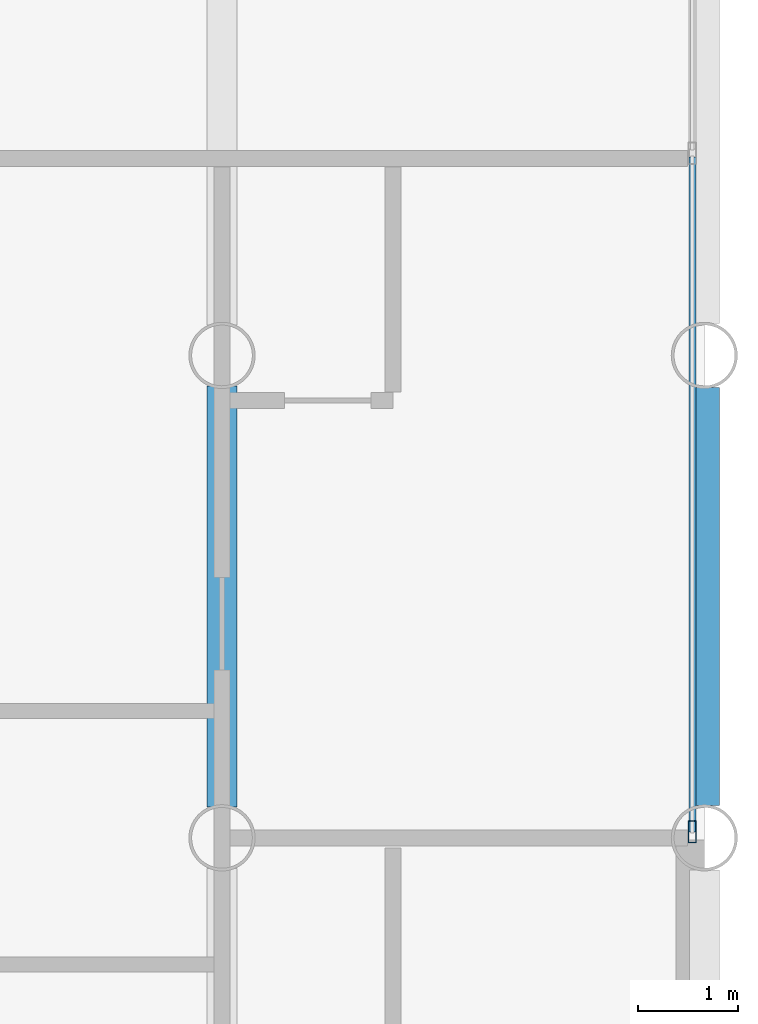
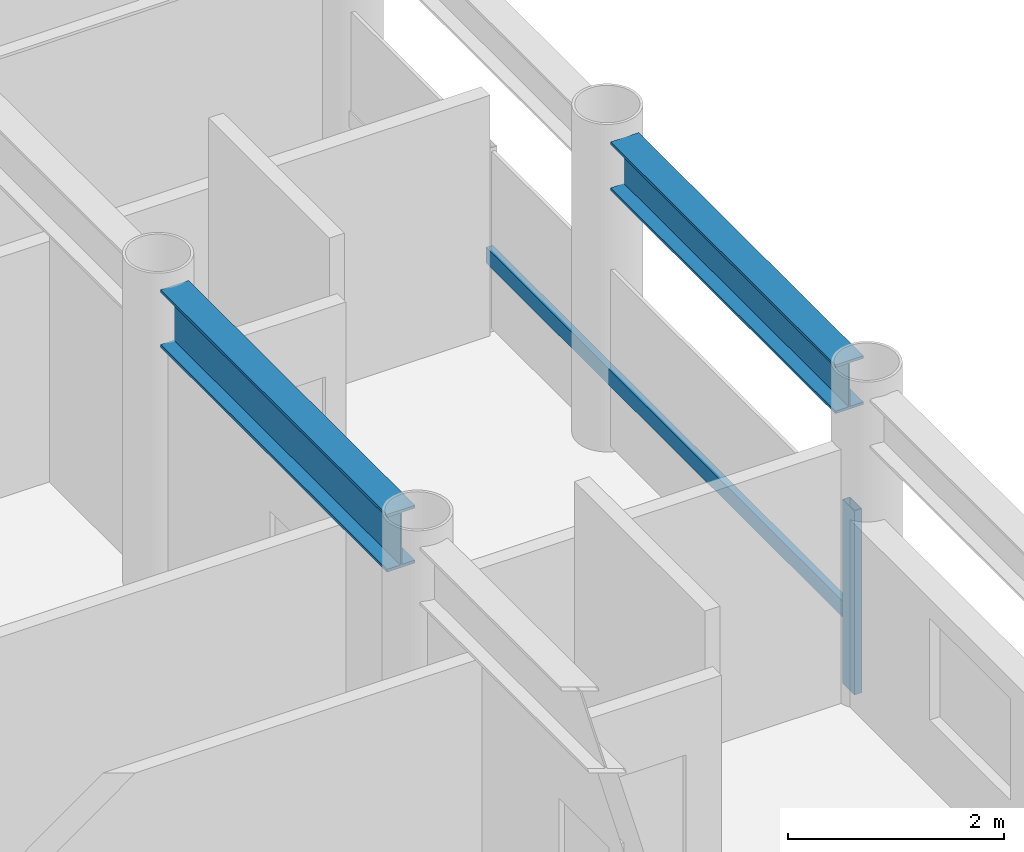
# One storey, part 8 of 22: 2 beams, 2 members, 1 element without a shape of its own.
"""IFC4 building model written with IfcOpenShell, lengths in metres."""

from ifc_helpers import new_model, si_unit, direction, frame, origin, origin_2d, place, context, subcontext, project, spatial, hollow_rectangle, i_section, extrude, material, layer, layer_set, material_profile, profile_set, type_object, element, aggregate, save


model = new_model("IFC4")

# Units and contexts
model_context = context("Model", 3, precision=1e-05, world=origin(), true_north=direction((0.0, 1.0)))
body_context = subcontext(model_context, "Body", "Model", "MODEL_VIEW")
ifc_project = project(units=[si_unit("LENGTHUNIT", "METRE"), si_unit("AREAUNIT", "SQUARE_METRE"), si_unit("VOLUMEUNIT", "CUBIC_METRE"), si_unit("PLANEANGLEUNIT", "RADIAN"), si_unit("MASSUNIT", "GRAM", prefix="KILO")], contexts=[model_context])

# Site, building, storey
site_placement = place(None, origin())
site = spatial("IfcSite", under=ifc_project, at=site_placement, CompositionType="ELEMENT")
building_placement = place(site_placement, origin())
building = spatial("IfcBuilding", under=site, at=building_placement, Name="Kallvorn Hotel Tower", CompositionType="ELEMENT")
storey_placement = place(building_placement, frame((0.0, 0.0, 106.300048828125)))
storey = spatial("IfcBuildingStorey", under=building, at=storey_placement, Name="L25", CompositionType="ELEMENT", Elevation=106.300048828125)

# Beams
ifc_material_1 = material(Name="Structural steel S355JR", Category="steel")
ifc_material_profile_1 = material_profile(ifc_material_1, i_section(OverallWidth=0.300048828125, OverallDepth=0.550048828125, WebThickness=0.014892578125, FlangeThickness=0.029052734375, at=origin_2d()), Name="HE 550 B")
ifc_profile_set_1 = profile_set([ifc_material_profile_1], Name="Structural steel S355JR")
beam_type_1 = type_object("IfcBeamType", Name="BM_HE550B", PredefinedType="SPANDREL", material=ifc_profile_set_1)
beam_1_placement = place(storey_placement, frame((33.60009765625, 0.320068359375, 3.244873046875), z_axis=(0.0, 1.0, 0.0), x_axis=(-1.0, 0.0, 0.0)))
element("IfcBeam", 1, at=beam_1_placement, inside=storey, type_object=beam_type_1, Name="L26 Perimeter Spandrel 185", PredefinedType="SPANDREL", context=body_context, shape_type="SweptSolid", body=[
    extrude(i_section(OverallWidth=0.300048828125, OverallDepth=0.550048828125, WebThickness=0.014892578125, FlangeThickness=0.029052734375, at=origin_2d()), origin(), (0.0, 0.0, 1.0), 4.159912109375),
])
ifc_material_2 = material(Name="Structural steel S355JR", Category="steel")
ifc_material_profile_2 = material_profile(ifc_material_2, i_section(OverallWidth=0.300048828125, OverallDepth=0.64990234375, WebThickness=0.01611328125, FlangeThickness=0.031005859375, at=origin_2d()), Name="HE 650 B")
ifc_profile_set_2 = profile_set([ifc_material_profile_2], Name="Structural steel S355JR")
beam_type_2 = type_object("IfcBeamType", Name="BM_HE650B", PredefinedType="BEAM", material=ifc_profile_set_2)
beam_2_placement = place(storey_placement, frame((28.800048828125, 0.304931640625, 3.195068359375), z_axis=(0.0, 1.0, 0.0), x_axis=(-1.0, 0.0, 0.0)))
element("IfcBeam", 2, at=beam_2_placement, inside=storey, type_object=beam_type_2, Name="L26 Primary Y-Girder 146", PredefinedType="BEAM", context=body_context, shape_type="SweptSolid", body=[
    extrude(i_section(OverallWidth=0.300048828125, OverallDepth=0.64990234375, WebThickness=0.01611328125, FlangeThickness=0.031005859375, at=origin_2d()), origin(), (0.0, 0.0, 1.0), 4.190185546875),
])

# Curtain wall, members
ifc_material_3 = material(Name="Thermally broken black-anodised aluminium AA 6063-T6", Category="aluminium")
ifc_layer = layer(ifc_material_3, 0.199951171875)
ifc_layer_set = layer_set([ifc_layer], Name="CW_SYS_3_HOTEL_LOW")
curtain_wall_type = type_object("IfcCurtainWallType", Name="CW_SYS_3_HOTEL_LOW", PredefinedType="USERDEFINED", material=ifc_layer_set)
curtain_wall_placement = place(storey_placement, origin())
curtain_wall = element("IfcCurtainWall", 3, at=curtain_wall_placement, inside=storey, type_object=curtain_wall_type, Name="L25 Dark-Glass Curtain Wall CW-L25-EN", ObjectType="UNITISED CURTAIN WALL", PredefinedType="USERDEFINED")
ifc_material_4 = material(Name="Thermally broken black-anodised aluminium AA 6063-T6", Category="aluminium")
ifc_material_profile_3 = material_profile(ifc_material_4, hollow_rectangle(XDim=0.080078125, YDim=0.219970703125, WallThickness=0.0048828125, at=origin_2d()), Name="MUL 220x80")
ifc_profile_set_3 = profile_set([ifc_material_profile_3], Name="Thermally broken black-anodised aluminium AA 6063-T6")
member_type_1 = type_object("IfcMemberType", Name="CW_MULLION_220x80", PredefinedType="MULLION", material=ifc_profile_set_3)
member_1_placement = place(storey_placement, frame((33.47998046875, 0.06005859375, 0.02001953125), z_axis=(0.0, 0.0, 1.0), x_axis=(1.0, 0.0, 0.0)))
member_1 = element("IfcMember", 4, at=member_1_placement, type_object=member_type_1, Name="CW-L25-EN Mullion 00", PredefinedType="MULLION", context=body_context, shape_type="SweptSolid", body=[
    extrude(hollow_rectangle(XDim=0.080078125, YDim=0.219970703125, WallThickness=0.0048828125, at=origin_2d()), origin(), (0.0, 0.0, 1.0), 2.079833984375),
])
ifc_material_5 = material(Name="Thermally broken black-anodised aluminium AA 6063-T6", Category="aluminium")
ifc_material_profile_4 = material_profile(ifc_material_5, hollow_rectangle(XDim=0.070068359375, YDim=0.179931640625, WallThickness=0.00390625, at=origin_2d()), Name="TRN 180x70")
ifc_profile_set_4 = profile_set([ifc_material_profile_4], Name="Thermally broken black-anodised aluminium AA 6063-T6")
member_type_2 = type_object("IfcMemberType", Name="CW_TRANSOM_180x70", PredefinedType="USERDEFINED", material=ifc_profile_set_4)
member_2_placement = place(storey_placement, frame((33.47998046875, 0.06005859375, 0.849853515625), z_axis=(0.0, 1.0, 0.0), x_axis=(-1.0, 0.0, 0.0)))
member_2 = element("IfcMember", 5, at=member_2_placement, type_object=member_type_2, Name="CW-L25-EN Transom 00M", ObjectType="TRANSOM", PredefinedType="USERDEFINED", context=body_context, shape_type="SweptSolid", body=[
    extrude(hollow_rectangle(XDim=0.070068359375, YDim=0.179931640625, WallThickness=0.00390625, at=origin_2d()), origin(), (0.0, 0.0, 1.0), 6.713134765625),
])
aggregate(curtain_wall, [member_1, member_2])

save(model, "model.ifc")
